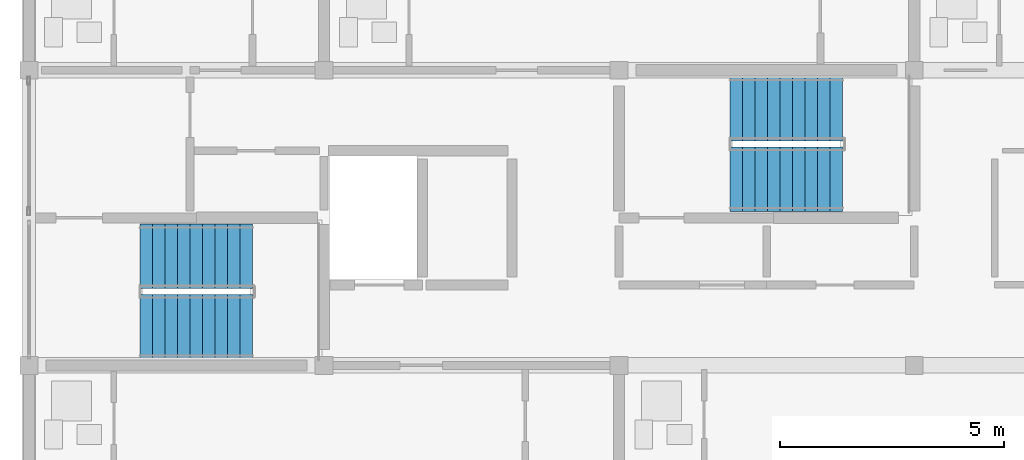
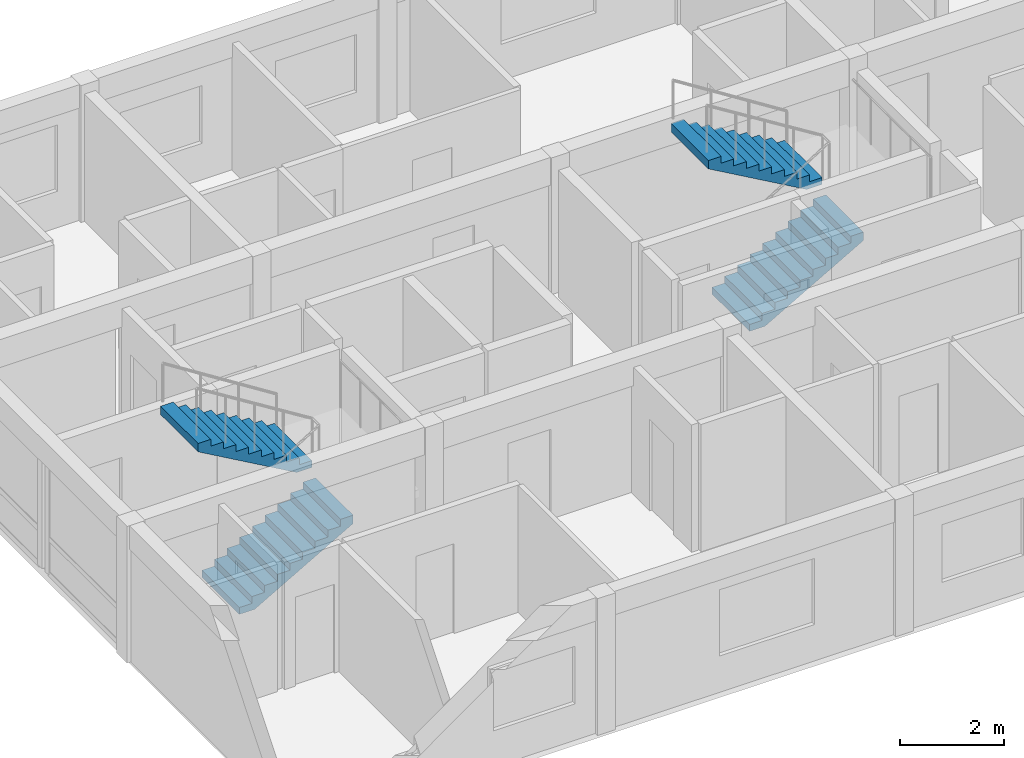
# One storey, part 20 of 23: 4 stair flights, 2 elements without a shape of their own.
"""IFC4 building model written with IfcOpenShell, lengths in metres."""

from ifc_helpers import new_model, si_unit, direction, frame, origin, place, context, subcontext, project, spatial, polyline, outline, extrude, material, type_object, element, aggregate, save


model = new_model("IFC4")

# Units and contexts
model_context = context("Model", 3, precision=1e-05, world=origin(), true_north=direction((0.0, 1.0)))
body_context = subcontext(model_context, "Body", "Model", "MODEL_VIEW")
ifc_project = project(units=[si_unit("LENGTHUNIT", "METRE"), si_unit("AREAUNIT", "SQUARE_METRE"), si_unit("VOLUMEUNIT", "CUBIC_METRE"), si_unit("PLANEANGLEUNIT", "RADIAN"), si_unit("MASSUNIT", "GRAM", prefix="KILO")], contexts=[model_context])

# Site, building, storey
site_placement = place(None, origin())
site = spatial("IfcSite", under=ifc_project, at=site_placement, CompositionType="ELEMENT")
building_placement = place(site_placement, origin())
building = spatial("IfcBuilding", under=site, at=building_placement, Name="Kernevlak Ridge Housing Community", CompositionType="ELEMENT")
storey_placement = place(building_placement, frame((0.0, 0.0, 46.800048828125)))
storey = spatial("IfcBuildingStorey", under=building, at=storey_placement, Name="L14", CompositionType="ELEMENT", Elevation=46.800048828125)

# Stair, stair flights
ifc_material = material(Name="Concrete C35/45", Category="concrete")
stair_type = type_object("IfcStairType", Name="SR-06", PredefinedType="HALF_TURN_STAIR", material=ifc_material)
stair_1_placement = place(storey_placement, origin())
stair_1 = element("IfcStair", 1, at=stair_1_placement, inside=storey, type_object=stair_type, Name="Stair ST-A1 L14", PredefinedType="HALF_TURN_STAIR")
stair_flight_type = type_object("IfcStairFlightType", Name="SF-06", PredefinedType="STRAIGHT", material=ifc_material)
stair_flight_1_placement = place(storey_placement, frame((18.080078125, 83.4599609375, 0.0), z_axis=(0.0, 0.0, 1.0), x_axis=(1.0, 0.0, 0.0)))
stair_flight_1 = element("IfcStairFlight", 2, at=stair_flight_1_placement, type_object=stair_flight_type, Name="SR-06 flight 1", NumberOfRisers=10, NumberOfTreads=9, PredefinedType="STRAIGHT", RiserHeight=0.16, TreadLength=0.28, context=body_context, shape_type="SweptSolid", body=[
    extrude(outline(polyline([(0.0, 0.0), (0.0, 0.159912109375), (0.280029296875, 0.159912109375), (0.280029296875, 0.320068359375), (0.56005859375, 0.320068359375), (0.56005859375, 0.47998046875), (0.840087890625, 0.47998046875), (0.840087890625, 0.639892578125), (1.1201171875, 0.639892578125), (1.1201171875, 0.800048828125), (1.39990234375, 0.800048828125), (1.39990234375, 0.9599609375), (1.679931640625, 0.9599609375), (1.679931640625, 1.1201171875), (1.9599609375, 1.1201171875), (1.9599609375, 1.280029296875), (2.239990234375, 1.280029296875), (2.239990234375, 1.43994140625), (2.52001953125, 1.43994140625), (2.52001953125, 1.60009765625), (2.52001953125, 1.244384765625), (0.342529296875, 0.0), (0.0, 0.0)])), frame((0.0, 0.719970703125, 0.0), z_axis=(0.0, -1.0, 0.0), x_axis=(1.0, 0.0, 0.0)), (0.0, 0.0, 1.0), 1.43994140625),
])
stair_flight_2_placement = place(storey_placement, frame((20.60009765625, 85.0400390625, 1.599853515625), z_axis=(0.0, 0.0, 1.0), x_axis=(-1.0, 0.0, 0.0)))
stair_flight_2 = element("IfcStairFlight", 3, at=stair_flight_2_placement, type_object=stair_flight_type, Name="SR-06 flight 2", NumberOfRisers=10, NumberOfTreads=9, PredefinedType="STRAIGHT", RiserHeight=0.16, TreadLength=0.28, context=body_context, shape_type="SweptSolid", body=[
    extrude(outline(polyline([(0.0, 0.0), (0.0, 0.159912109375), (0.280029296875, 0.159912109375), (0.280029296875, 0.320068359375), (0.56005859375, 0.320068359375), (0.56005859375, 0.47998046875), (0.840087890625, 0.47998046875), (0.840087890625, 0.639892578125), (1.1201171875, 0.639892578125), (1.1201171875, 0.800048828125), (1.39990234375, 0.800048828125), (1.39990234375, 0.9599609375), (1.679931640625, 0.9599609375), (1.679931640625, 1.1201171875), (1.9599609375, 1.1201171875), (1.9599609375, 1.280029296875), (2.239990234375, 1.280029296875), (2.239990234375, 1.43994140625), (2.52001953125, 1.43994140625), (2.52001953125, 1.60009765625), (2.52001953125, 1.244384765625), (0.342529296875, 0.0), (0.0, 0.0)])), frame((0.0, 0.719970703125, 0.0), z_axis=(0.0, -1.0, 0.0), x_axis=(1.0, 0.0, 0.0)), (0.0, 0.0, 1.0), 1.43994140625),
])
aggregate(stair_1, [stair_flight_1, stair_flight_2])

stair_2_placement = place(storey_placement, origin())
stair_2 = element("IfcStair", 4, at=stair_2_placement, inside=storey, type_object=stair_type, Name="Stair ST-A2 L14", PredefinedType="HALF_TURN_STAIR")
stair_flight_3_placement = place(storey_placement, frame((31.280029296875, 86.760009765625, 0.0), z_axis=(0.0, 0.0, 1.0), x_axis=(1.0, 0.0, 0.0)))
stair_flight_3 = element("IfcStairFlight", 5, at=stair_flight_3_placement, type_object=stair_flight_type, Name="SR-06 flight 1", NumberOfRisers=10, NumberOfTreads=9, PredefinedType="STRAIGHT", RiserHeight=0.16, TreadLength=0.28, context=body_context, shape_type="SweptSolid", body=[
    extrude(outline(polyline([(0.0, 0.0), (0.0, 0.159912109375), (0.280029296875, 0.159912109375), (0.280029296875, 0.320068359375), (0.56005859375, 0.320068359375), (0.56005859375, 0.47998046875), (0.840087890625, 0.47998046875), (0.840087890625, 0.639892578125), (1.1201171875, 0.639892578125), (1.1201171875, 0.800048828125), (1.39990234375, 0.800048828125), (1.39990234375, 0.9599609375), (1.679931640625, 0.9599609375), (1.679931640625, 1.1201171875), (1.9599609375, 1.1201171875), (1.9599609375, 1.280029296875), (2.239990234375, 1.280029296875), (2.239990234375, 1.43994140625), (2.52001953125, 1.43994140625), (2.52001953125, 1.60009765625), (2.52001953125, 1.244384765625), (0.342529296875, 0.0), (0.0, 0.0)])), frame((0.0, 0.719970703125, 0.0), z_axis=(0.0, -1.0, 0.0), x_axis=(1.0, 0.0, 0.0)), (0.0, 0.0, 1.0), 1.43994140625),
])
stair_flight_4_placement = place(storey_placement, frame((33.800048828125, 88.340087890625, 1.599853515625), z_axis=(0.0, 0.0, 1.0), x_axis=(-1.0, 0.0, 0.0)))
stair_flight_4 = element("IfcStairFlight", 6, at=stair_flight_4_placement, type_object=stair_flight_type, Name="SR-06 flight 2", NumberOfRisers=10, NumberOfTreads=9, PredefinedType="STRAIGHT", RiserHeight=0.16, TreadLength=0.28, context=body_context, shape_type="SweptSolid", body=[
    extrude(outline(polyline([(0.0, 0.0), (0.0, 0.159912109375), (0.280029296875, 0.159912109375), (0.280029296875, 0.320068359375), (0.56005859375, 0.320068359375), (0.56005859375, 0.47998046875), (0.840087890625, 0.47998046875), (0.840087890625, 0.639892578125), (1.1201171875, 0.639892578125), (1.1201171875, 0.800048828125), (1.39990234375, 0.800048828125), (1.39990234375, 0.9599609375), (1.679931640625, 0.9599609375), (1.679931640625, 1.1201171875), (1.9599609375, 1.1201171875), (1.9599609375, 1.280029296875), (2.239990234375, 1.280029296875), (2.239990234375, 1.43994140625), (2.52001953125, 1.43994140625), (2.52001953125, 1.60009765625), (2.52001953125, 1.244384765625), (0.342529296875, 0.0), (0.0, 0.0)])), frame((0.0, 0.719970703125, 0.0), z_axis=(0.0, -1.0, 0.0), x_axis=(1.0, 0.0, 0.0)), (0.0, 0.0, 1.0), 1.43994140625),
])
aggregate(stair_2, [stair_flight_3, stair_flight_4])

save(model, "model.ifc")
